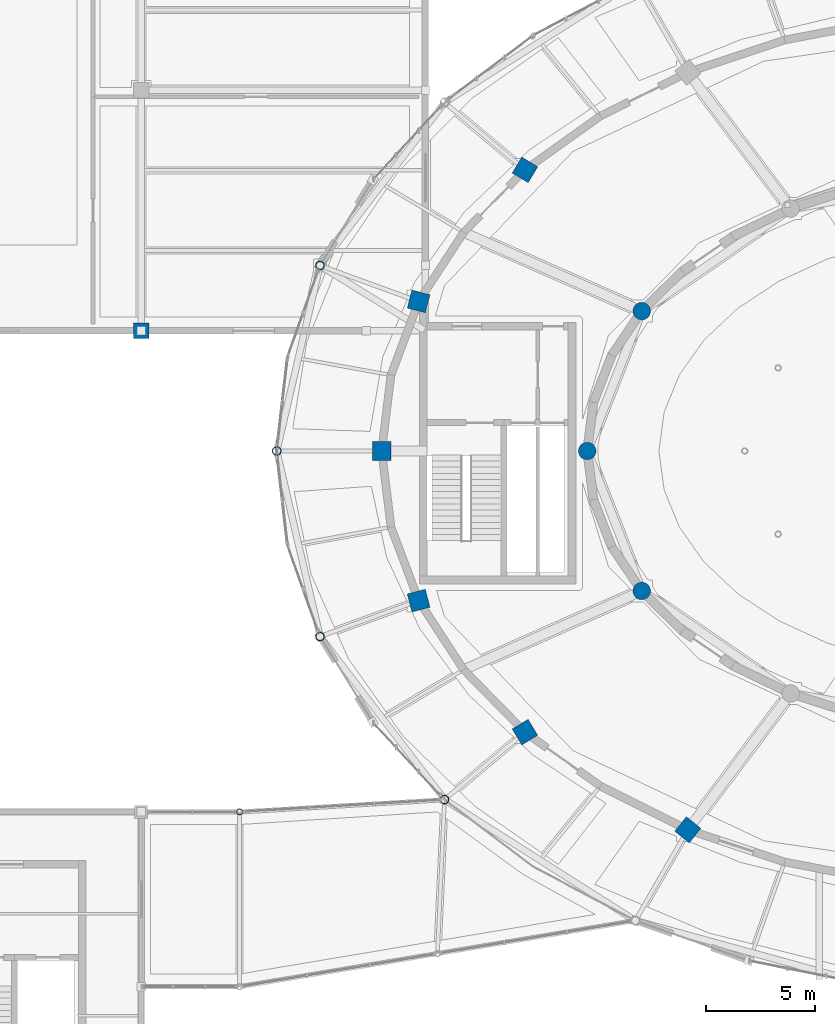
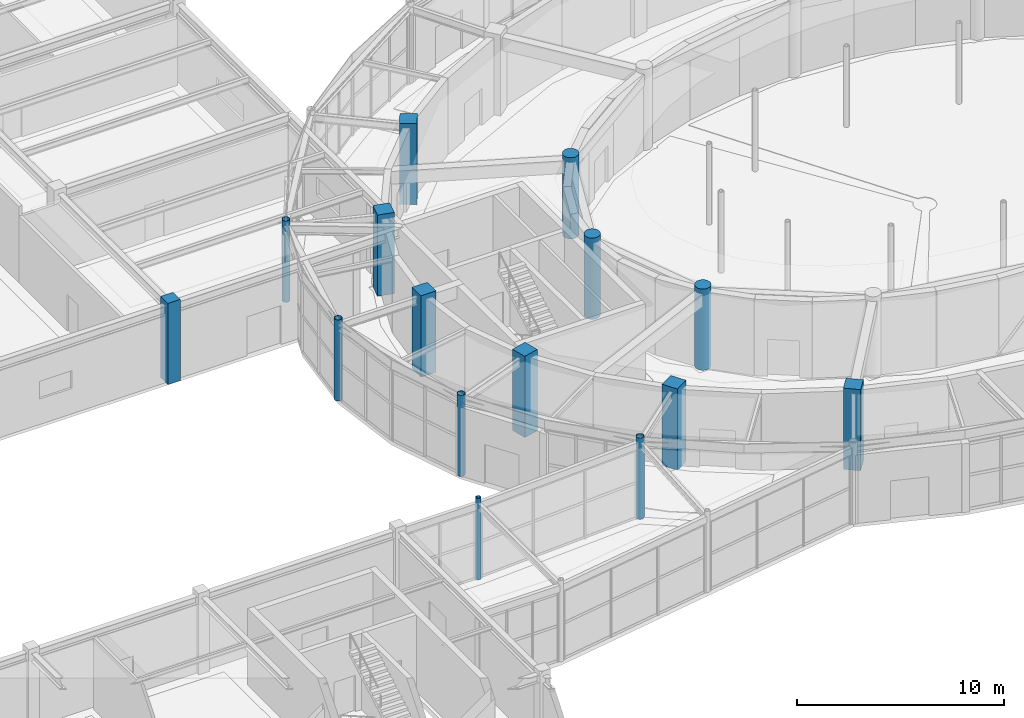
# One storey, part 5 of 108: 15 columns.
"""IFC4 building model written with IfcOpenShell, lengths in metres."""

from ifc_helpers import new_model, si_unit, direction, frame, origin, origin_2d, place, context, subcontext, project, spatial, rectangle, circle, hollow_circle, extrude, material, material_profile, profile_set, type_object, element, save


model = new_model("IFC4")

# Units and contexts
model_context = context("Model", 3, precision=1e-05, world=origin(), true_north=direction((0.0, 1.0)))
body_context = subcontext(model_context, "Body", "Model", "MODEL_VIEW")
ifc_project = project(units=[si_unit("LENGTHUNIT", "METRE"), si_unit("AREAUNIT", "SQUARE_METRE"), si_unit("VOLUMEUNIT", "CUBIC_METRE"), si_unit("PLANEANGLEUNIT", "RADIAN"), si_unit("MASSUNIT", "GRAM", prefix="KILO")], contexts=[model_context])

# Site, building, storey
site_placement = place(None, origin())
site = spatial("IfcSite", under=ifc_project, at=site_placement, CompositionType="ELEMENT")
building_placement = place(site_placement, origin())
building = spatial("IfcBuilding", under=site, at=building_placement, Name="Tarnveldt Headland Concert Hall", CompositionType="ELEMENT")
storey_placement = place(building_placement, origin())
storey = spatial("IfcBuildingStorey", under=building, at=storey_placement, Name="L00", CompositionType="ELEMENT", Elevation=0.0)

# Columns
ifc_material_1 = material(Name="Concrete C40/50", Category="concrete")
ifc_material_profile_1 = material_profile(ifc_material_1, rectangle(XDim=0.699951171875, YDim=0.699951171875, at=origin_2d()), Name="RC 700x700", Category="concrete")
ifc_profile_set_1 = profile_set([ifc_material_profile_1], Name="Concrete C40/50")
column_type_1 = type_object("IfcColumnType", Name="CC-700", PredefinedType="COLUMN", material=ifc_profile_set_1)
column_1_placement = place(storey_placement, frame((44.5, 60.0, 0.0), z_axis=(0.0, 0.0, 1.0), x_axis=(1.0, 0.0, 0.0)))
element("IfcColumn", 1, at=column_1_placement, inside=storey, type_object=column_type_1, Name="Column V5C16 L00", PredefinedType="COLUMN", context=body_context, shape_type="SweptSolid", body=[
    extrude(rectangle(XDim=0.699951171875, YDim=0.699951171875, at=origin_2d()), origin(), (0.0, 0.0, 1.0), 4.800048828125),
])
ifc_material_profile_2 = material_profile(ifc_material_1, rectangle(XDim=0.85009765625, YDim=0.85009765625, at=origin_2d()), Name="RC 850x850", Category="concrete")
ifc_profile_set_2 = profile_set([ifc_material_profile_2], Name="Concrete C40/50")
column_type_2 = type_object("IfcColumnType", Name="CC-850", PredefinedType="COLUMN", material=ifc_profile_set_2)
for number, where, z_axis, x_axis, name in (
    (2, (62.05078125, 67.355712890625, 0.0), (0.0, 0.0, 1.0), (-0.85770617722, 0.514140169175, 0.0), "Column V2DC08 L00"),
    (3, (57.188720703125, 61.34033203125, 0.0), (0.0, 0.0, 1.0), (-0.967841021032, 0.251562632376, 0.0), "Column V2DC09 L00"),
    (4, (55.5, 54.5, 0.0), (0.0, 0.0, 1.0), (-1.0, 0.0, 0.0), "Column V2DC10 L00"),
    (5, (57.188720703125, 47.65966796875, 0.0), (0.0, 0.0, 1.0), (-0.967841021032, -0.251562632376, 0.0), "Column V2DC11 L00"),
    (6, (62.05078125, 41.644287109375, 0.0), (0.0, 0.0, 1.0), (-0.85770617722, -0.514140169175, 0.0), "Column V2DC12 L00"),
    (7, (69.5, 37.179443359375, 0.0), (0.0, 0.0, 1.0), (-0.628641963719, -0.777694851116, 0.0), "Column V2DC13 L00"),
):
    element("IfcColumn", number, at=place(storey_placement, frame(where, z_axis=z_axis, x_axis=x_axis)), inside=storey, type_object=column_type_2, Name=name, PredefinedType="COLUMN", context=body_context, shape_type="SweptSolid", body=[
        extrude(rectangle(XDim=0.85009765625, YDim=0.85009765625, at=origin_2d()), origin(), (0.0, 0.0, 1.0), 4.800048828125),
    ])
ifc_material_profile_3 = material_profile(ifc_material_1, circle(Radius=0.39990234375, at=origin_2d()), Name="RC D800", Category="concrete")
ifc_profile_set_3 = profile_set([ifc_material_profile_3], Name="Concrete C40/50")
column_type_3 = type_object("IfcColumnType", Name="DC-800", PredefinedType="COLUMN", material=ifc_profile_set_3)
for number, where, z_axis, x_axis, name in (
    (8, (67.391845703125, 60.89990234375, 0.0), (0.0, 0.0, 1.0), (-0.929326043111, 0.369260213935, 0.0), "Column V2IC06 L00"),
    (9, (64.89990234375, 54.5, 0.0), (0.0, 0.0, 1.0), (-1.0, 0.0, 0.0), "Column V2IC07 L00"),
    (10, (67.391845703125, 48.10009765625, 0.0), (0.0, 0.0, 1.0), (-0.929326043111, -0.369260213935, 0.0), "Column V2IC08 L00"),
):
    element("IfcColumn", number, at=place(storey_placement, frame(where, z_axis=z_axis, x_axis=x_axis)), inside=storey, type_object=column_type_3, Name=name, PredefinedType="COLUMN", context=body_context, shape_type="SweptSolid", body=[
        extrude(circle(Radius=0.39990234375, at=origin_2d()), origin(), (0.0, 0.0, 1.0), 4.800048828125),
    ])
ifc_material_2 = material(Name="Steel S355", Category="steel")
ifc_material_profile_4 = material_profile(ifc_material_2, hollow_circle(Radius=0.136474609375, WallThickness=0.01611328125, at=origin_2d()), Name="CHS 273x16", Category="steel")
ifc_profile_set_4 = profile_set([ifc_material_profile_4], Name="Steel S355")
column_type_4 = type_object("IfcColumnType", Name="SC-CHS273", PredefinedType="COLUMN", material=ifc_profile_set_4)
column_2_placement = place(storey_placement, frame((49.0, 38.0, 0.0), z_axis=(0.0, 0.0, 1.0), x_axis=(1.0, 0.0, 0.0)))
element("IfcColumn", 11, at=column_2_placement, inside=storey, type_object=column_type_4, Name="Column V4LK02 L00", PredefinedType="COLUMN", context=body_context, shape_type="SweptSolid", body=[
    extrude(hollow_circle(Radius=0.136474609375, WallThickness=0.01611328125, at=origin_2d()), origin(), (0.0, 0.0, 1.0), 4.800048828125),
])
ifc_material_profile_5 = material_profile(ifc_material_2, hollow_circle(Radius=0.203125, WallThickness=0.02490234375, at=origin_2d()), Name="CHS 406.4x25", Category="steel")
ifc_profile_set_5 = profile_set([ifc_material_profile_5], Name="Steel S355")
column_type_5 = type_object("IfcColumnType", Name="SC-CHS406", PredefinedType="COLUMN", material=ifc_profile_set_5)
for number, where, z_axis, x_axis, name in (
    (12, (52.677978515625, 62.982177734375, 0.0), (0.0, 0.0, 1.0), (-0.964141737836, 0.265387847052, 0.0), "Column V1C09 L00"),
    (13, (50.699951171875, 54.5, 0.0), (0.0, 0.0, 1.0), (-1.0, 0.0, 0.0), "Column V1C10 L00"),
    (14, (52.677978515625, 46.017822265625, 0.0), (0.0, 0.0, 1.0), (-0.964141737836, -0.265387847052, 0.0), "Column V1C11 L00"),
    (15, (58.373779296875, 38.558837890625, 0.0), (0.0, 0.0, 1.0), (-0.84442143206, -0.535679423796, 0.0), "Column V1C12 L00"),
):
    element("IfcColumn", number, at=place(storey_placement, frame(where, z_axis=z_axis, x_axis=x_axis)), inside=storey, type_object=column_type_5, Name=name, PredefinedType="COLUMN", context=body_context, shape_type="SweptSolid", body=[
        extrude(hollow_circle(Radius=0.203125, WallThickness=0.02490234375, at=origin_2d()), origin(), (0.0, 0.0, 1.0), 4.800048828125),
    ])

save(model, "model.ifc")
